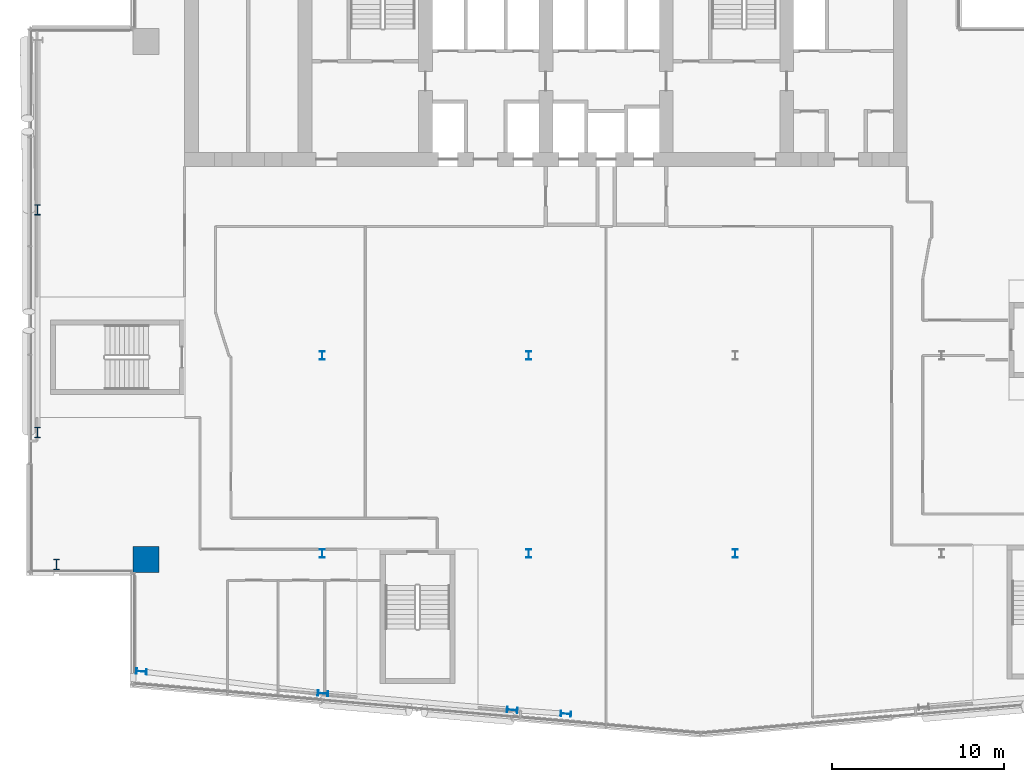
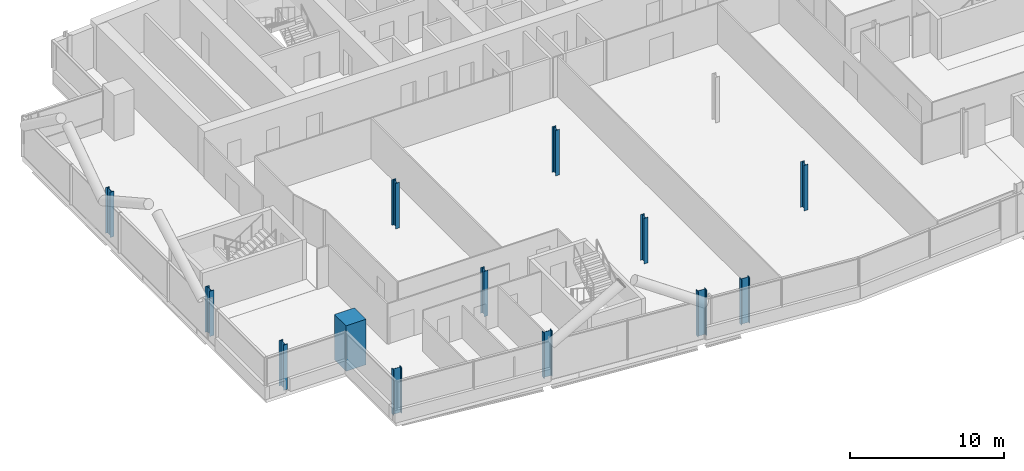
# One storey, part 1 of 26: 13 columns.
"""IFC4 building model written with IfcOpenShell, lengths in metres."""

from ifc_helpers import new_model, si_unit, direction, frame, origin, origin_2d, place, context, subcontext, project, spatial, rectangle, i_section, extrude, material, material_profile, profile_set, type_object, element, save


model = new_model("IFC4")

# Units and contexts
model_context = context("Model", 3, precision=1e-05, world=origin(), true_north=direction((0.0, 1.0)))
body_context = subcontext(model_context, "Body", "Model", "MODEL_VIEW")
ifc_project = project(units=[si_unit("LENGTHUNIT", "METRE"), si_unit("AREAUNIT", "SQUARE_METRE"), si_unit("VOLUMEUNIT", "CUBIC_METRE"), si_unit("PLANEANGLEUNIT", "RADIAN"), si_unit("MASSUNIT", "GRAM", prefix="KILO")], contexts=[model_context])

# Site, building, storey
site_placement = place(None, origin())
site = spatial("IfcSite", under=ifc_project, at=site_placement, CompositionType="ELEMENT")
building_placement = place(site_placement, origin())
building = spatial("IfcBuilding", under=site, at=building_placement, Name="Wharfspan Tower", CompositionType="ELEMENT")
storey_placement = place(building_placement, frame((0.0, 0.0, 184.300049)))
storey = spatial("IfcBuildingStorey", under=building, at=storey_placement, Name="L45", CompositionType="ELEMENT", Elevation=184.300049)

# Columns
ifc_material_1 = material(Name="Steel S355J2", Category="steel")
ifc_material_profile_1 = material_profile(ifc_material_1, i_section(OverallWidth=0.300049, OverallDepth=0.5, WebThickness=0.014404, FlangeThickness=0.028076, FilletRadius=0.0271, at=origin_2d()))
ifc_profile_set_1 = profile_set([ifc_material_profile_1], Name="Steel S355J2")
column_type_1 = type_object("IfcColumnType", Name="Column HEB 500", PredefinedType="COLUMN", material=ifc_profile_set_1)
for number, where, z_axis, x_axis, name in (
    (1, (24.0, 11.5, 0.0), (0.0, 0.0, 1.0), (1.0, 0.0, 0.0), "Interior column I.1.1 L45"),
    (2, (36.0, 11.5, 0.0), (0.0, 0.0, 1.0), (1.0, 0.0, 0.0), "Interior column I.1.2 L45"),
    (3, (48.0, 11.5, 0.0), (0.0, 0.0, 1.0), (1.0, 0.0, 0.0), "Interior column I.1.3 L45"),
    (4, (24.0, 23.0, 0.0), (0.0, 0.0, 1.0), (1.0, 0.0, 0.0), "Interior column I.2.1 L45"),
    (5, (36.0, 23.0, 0.0), (0.0, 0.0, 1.0), (1.0, 0.0, 0.0), "Interior column I.2.2 L45"),
):
    element("IfcColumn", number, at=place(storey_placement, frame(where, z_axis=z_axis, x_axis=x_axis)), inside=storey, type_object=column_type_1, Name=name, PredefinedType="COLUMN", context=body_context, shape_type="SweptSolid", body=[
        extrude(i_section(OverallWidth=0.300049, OverallDepth=0.5, WebThickness=0.014404, FlangeThickness=0.028076, FilletRadius=0.0271, at=origin_2d()), origin(), (0.0, 0.0, 1.0), 3.599854),
    ])
ifc_material_profile_2 = material_profile(ifc_material_1, i_section(OverallWidth=0.304932, OverallDepth=0.620117, WebThickness=0.020996, FlangeThickness=0.040039, FilletRadius=0.0271, at=origin_2d()))
ifc_profile_set_2 = profile_set([ifc_material_profile_2], Name="Steel S355J2")
column_type_2 = type_object("IfcColumnType", Name="Column HEM 600", PredefinedType="COLUMN", material=ifc_profile_set_2)
for number, where, z_axis, x_axis, name in (
    (6, (13.490723, 4.637451, 0.0), (0.0, 0.0, 1.0), (-0.087156, -0.996198, 0.0), "Perimeter column PS1.1 L45"),
    (7, (24.039307, 3.361084, 0.0), (0.0, 0.0, 1.0), (-0.087156, -0.996198, 0.0), "Perimeter column PS1.2 L45"),
    (8, (35.039307, 2.398682, 0.0), (0.0, 0.0, 1.0), (-0.087156, -0.996198, 0.0), "Perimeter column PS1.3 L45"),
    (9, (38.161133, 2.174072, 0.0), (0.0, 0.0, 1.0), (-0.087156, -0.996198, 0.0), "Perimeter column PS1.4 L45"),
    (10, (7.449951, 31.466553, 0.0), (0.0, 0.0, 1.0), (-1.0, 0.0, 0.0), "Perimeter column PW.1 L45"),
    (11, (7.449951, 18.533447, 0.0), (0.0, 0.0, 1.0), (-1.0, 0.0, 0.0), "Perimeter column PW.2 L45"),
    (12, (8.560791, 10.854004, 0.0), (0.0, 0.0, 1.0), (-1.0, 0.0, 0.0), "Perimeter column PW.3 L45"),
):
    element("IfcColumn", number, at=place(storey_placement, frame(where, z_axis=z_axis, x_axis=x_axis)), inside=storey, type_object=column_type_2, Name=name, PredefinedType="COLUMN", context=body_context, shape_type="SweptSolid", body=[
        extrude(i_section(OverallWidth=0.304932, OverallDepth=0.620117, WebThickness=0.020996, FlangeThickness=0.040039, FilletRadius=0.0271, at=origin_2d()), origin(), (0.0, 0.0, 1.0), 3.599854),
    ])
ifc_material_2 = material(Name="Concrete C60/75", Category="concrete")
ifc_material_profile_3 = material_profile(ifc_material_2, rectangle(XDim=1.5, YDim=1.5, at=origin_2d()))
ifc_profile_set_3 = profile_set([ifc_material_profile_3], Name="Concrete C60/75")
column_type_3 = type_object("IfcColumnType", Name="Mega column 1500 C60/75", PredefinedType="COLUMN", material=ifc_profile_set_3)
column_placement = place(storey_placement, frame((13.75, 11.149902, 0.0), z_axis=(0.0, 0.0, 1.0), x_axis=(1.0, 0.0, 0.0)))
element("IfcColumn", 13, at=column_placement, inside=storey, type_object=column_type_3, Name="Mega column MC1 L45", PredefinedType="COLUMN", context=body_context, shape_type="SweptSolid", body=[
    extrude(rectangle(XDim=1.5, YDim=1.5, at=origin_2d()), origin(), (0.0, 0.0, 1.0), 3.599854),
])

save(model, "model.ifc")
